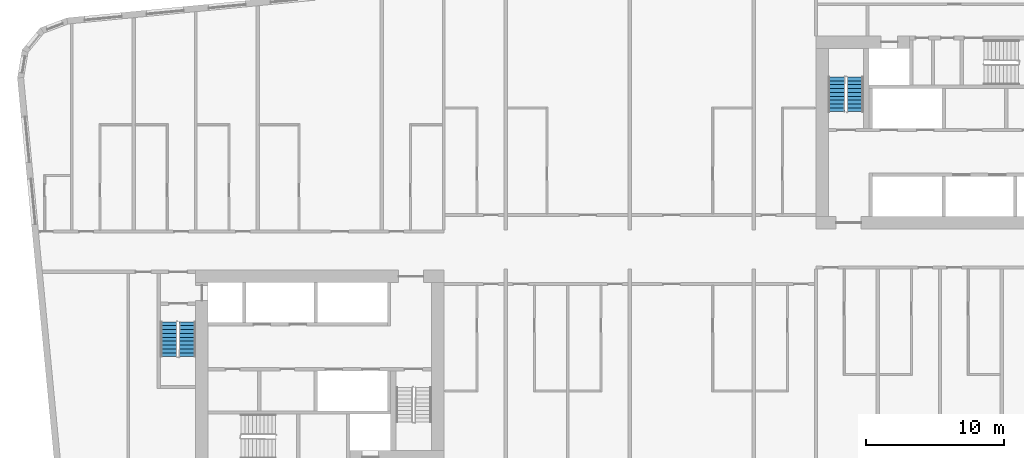
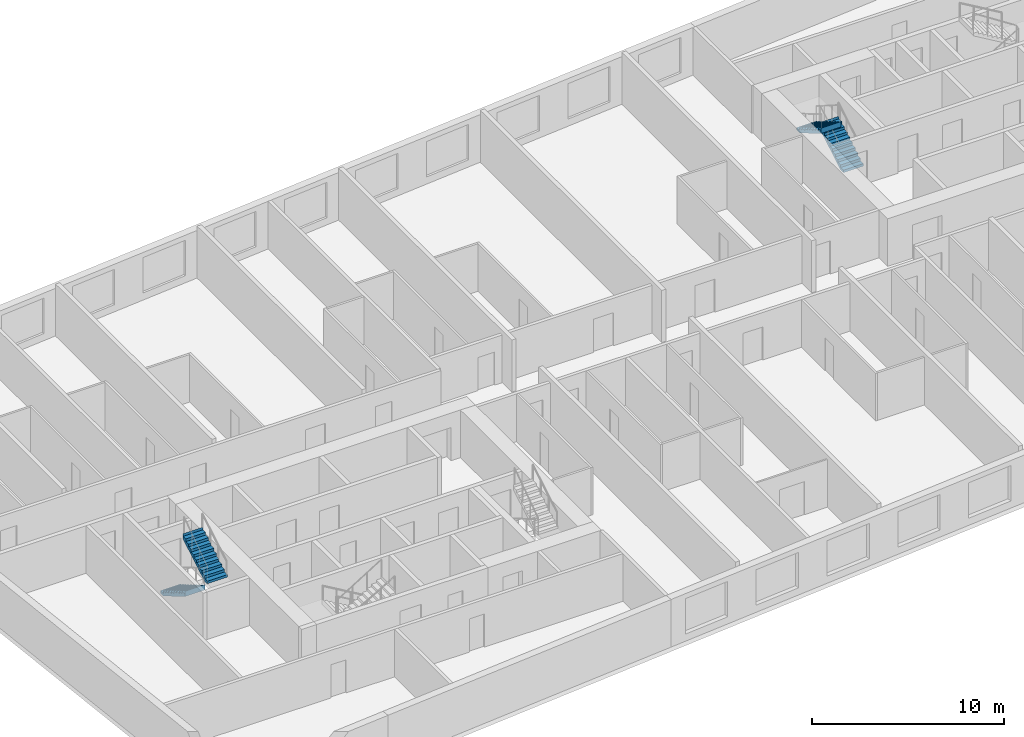
# One storey, part 10 of 12: 4 stair flights, 2 elements without a shape of their own.
"""IFC4 building model written with IfcOpenShell, lengths in metres."""

from ifc_helpers import new_model, si_unit, direction, frame, origin, place, context, subcontext, project, spatial, faceted_brep, material, type_object, element, aggregate, save


model = new_model("IFC4")

# Units and contexts
model_context = context("Model", 3, precision=1e-05, world=origin(), true_north=direction((0.0, 1.0)))
body_context = subcontext(model_context, "Body", "Model", "MODEL_VIEW")
ifc_project = project(units=[si_unit("LENGTHUNIT", "METRE"), si_unit("AREAUNIT", "SQUARE_METRE"), si_unit("VOLUMEUNIT", "CUBIC_METRE"), si_unit("PLANEANGLEUNIT", "RADIAN"), si_unit("MASSUNIT", "GRAM", prefix="KILO")], contexts=[model_context])

# Site, building, storey
site_placement = place(None, origin())
site = spatial("IfcSite", under=ifc_project, at=site_placement, CompositionType="ELEMENT")
building_placement = place(site_placement, origin())
building = spatial("IfcBuilding", under=site, at=building_placement, Name="Kajstack Hotel Tower", CompositionType="ELEMENT")
storey_placement = place(building_placement, frame((0.0, 0.0, 199.89990234375)))
storey = spatial("IfcBuildingStorey", under=building, at=storey_placement, Name="L48", CompositionType="ELEMENT", Elevation=199.89990234375)

# Stair, stair flights
ifc_material = material(Name="Concrete C40/50", Category="concrete")
stair_type = type_object("IfcStairType", Name="Exit stair 1200", PredefinedType="HALF_TURN_STAIR", material=ifc_material)
stair_1_placement = place(storey_placement, origin())
stair_1 = element("IfcStair", 1, at=stair_1_placement, inside=storey, type_object=stair_type, Name="L48 stair W1", PredefinedType="HALF_TURN_STAIR")
stair_flight_type = type_object("IfcStairFlightType", Name="Exit stair flight 1200", PredefinedType="STRAIGHT", material=ifc_material)
stair_flight_1_placement = place(storey_placement, frame((-33.449951171875, -5.25, 0.0), z_axis=(0.0, 0.0, 1.0), x_axis=(0.0, -1.0, 0.0)))
stair_flight_1 = element("IfcStairFlight", 2, at=stair_flight_1_placement, type_object=stair_flight_type, Name="W1 flight 1", NumberOfRisers=10, NumberOfTreads=9, PredefinedType="STRAIGHT", RiserHeight=0.165, TreadLength=0.28, context=body_context, shape_type="Brep", body=[
    faceted_brep([(0.295654296875, -0.60009765625, 0.0), (2.5205078125, -0.60009765625, 1.31103515625), (2.5205078125, -0.60009765625, 1.64990234375), (2.52001953125, -0.60009765625, 1.64990234375), (2.52001953125, -0.60009765625, 1.485107421875), (2.239990234375, -0.60009765625, 1.485107421875), (2.239990234375, -0.60009765625, 1.320068359375), (1.9599609375, -0.60009765625, 1.320068359375), (1.9599609375, -0.60009765625, 1.155029296875), (1.679931640625, -0.60009765625, 1.155029296875), (1.679931640625, -0.60009765625, 0.989990234375), (1.39990234375, -0.60009765625, 0.989990234375), (1.39990234375, -0.60009765625, 0.824951171875), (1.1201171875, -0.60009765625, 0.824951171875), (1.1201171875, -0.60009765625, 0.659912109375), (0.840087890625, -0.60009765625, 0.659912109375), (0.840087890625, -0.60009765625, 0.4951171875), (0.56005859375, -0.60009765625, 0.4951171875), (0.56005859375, -0.60009765625, 0.330078125), (0.280029296875, -0.60009765625, 0.330078125), (0.280029296875, -0.60009765625, 0.1650390625), (-0.00048828125, -0.60009765625, 0.1650390625), (-0.00048828125, -0.60009765625, 0.0), (-0.00048828125, 0.60009765625, 0.0), (-0.00048828125, 0.60009765625, 0.1650390625), (0.280029296875, 0.60009765625, 0.1650390625), (0.280029296875, 0.60009765625, 0.330078125), (0.56005859375, 0.60009765625, 0.330078125), (0.56005859375, 0.60009765625, 0.4951171875), (0.840087890625, 0.60009765625, 0.4951171875), (0.840087890625, 0.60009765625, 0.659912109375), (1.1201171875, 0.60009765625, 0.659912109375), (1.1201171875, 0.60009765625, 0.824951171875), (1.39990234375, 0.60009765625, 0.824951171875), (1.39990234375, 0.60009765625, 0.989990234375), (1.679931640625, 0.60009765625, 0.989990234375), (1.679931640625, 0.60009765625, 1.155029296875), (1.9599609375, 0.60009765625, 1.155029296875), (1.9599609375, 0.60009765625, 1.320068359375), (2.239990234375, 0.60009765625, 1.320068359375), (2.239990234375, 0.60009765625, 1.485107421875), (2.52001953125, 0.60009765625, 1.485107421875), (2.52001953125, 0.60009765625, 1.64990234375), (2.5205078125, 0.60009765625, 1.64990234375), (2.5205078125, 0.60009765625, 1.31103515625), (0.295654296875, 0.60009765625, 0.0), (-0.00048828125, -0.300048828125, 0.1650390625), (-0.00048828125, 0.0, 0.1650390625), (-0.00048828125, 0.300048828125, 0.1650390625), (-0.00048828125, 0.300048828125, 0.0), (-0.00048828125, 0.0, 0.0), (-0.00048828125, -0.300048828125, 0.0), (0.280029296875, -0.300048828125, 0.1650390625), (0.280029296875, 0.0, 0.1650390625), (0.280029296875, 0.300048828125, 0.1650390625), (0.280029296875, -0.300048828125, 0.330078125), (0.280029296875, 0.0, 0.330078125), (0.280029296875, 0.300048828125, 0.330078125), (0.56005859375, -0.300048828125, 0.330078125), (0.56005859375, 0.0, 0.330078125), (0.56005859375, 0.300048828125, 0.330078125), (0.56005859375, -0.300048828125, 0.4951171875), (0.56005859375, 0.0, 0.4951171875), (0.56005859375, 0.300048828125, 0.4951171875), (0.840087890625, -0.300048828125, 0.4951171875), (0.840087890625, 0.0, 0.4951171875), (0.840087890625, 0.300048828125, 0.4951171875), (0.840087890625, -0.300048828125, 0.659912109375), (0.840087890625, 0.0, 0.659912109375), (0.840087890625, 0.300048828125, 0.659912109375), (1.1201171875, -0.300048828125, 0.659912109375), (1.1201171875, 0.0, 0.659912109375), (1.1201171875, 0.300048828125, 0.659912109375), (1.1201171875, -0.300048828125, 0.824951171875), (1.1201171875, 0.0, 0.824951171875), (1.1201171875, 0.300048828125, 0.824951171875), (1.39990234375, -0.300048828125, 0.824951171875), (1.39990234375, 0.0, 0.824951171875), (1.39990234375, 0.300048828125, 0.824951171875), (1.39990234375, -0.300048828125, 0.989990234375), (1.39990234375, 0.0, 0.989990234375), (1.39990234375, 0.300048828125, 0.989990234375), (1.679931640625, -0.300048828125, 0.989990234375), (1.679931640625, 0.0, 0.989990234375), (1.679931640625, 0.300048828125, 0.989990234375), (1.679931640625, -0.300048828125, 1.155029296875), (1.679931640625, 0.0, 1.155029296875), (1.679931640625, 0.300048828125, 1.155029296875), (1.9599609375, -0.300048828125, 1.155029296875), (1.9599609375, 0.0, 1.155029296875), (1.9599609375, 0.300048828125, 1.155029296875), (1.9599609375, -0.300048828125, 1.320068359375), (1.9599609375, 0.0, 1.320068359375), (1.9599609375, 0.300048828125, 1.320068359375), (2.239990234375, -0.300048828125, 1.320068359375), (2.239990234375, 0.0, 1.320068359375), (2.239990234375, 0.300048828125, 1.320068359375), (2.239990234375, -0.300048828125, 1.485107421875), (2.239990234375, 0.0, 1.485107421875), (2.239990234375, 0.300048828125, 1.485107421875), (2.52001953125, -0.300048828125, 1.485107421875), (2.52001953125, 0.0, 1.485107421875), (2.52001953125, 0.300048828125, 1.485107421875), (2.52001953125, -0.300048828125, 1.64990234375), (2.52001953125, 0.0, 1.64990234375), (2.52001953125, 0.300048828125, 1.64990234375), (2.5205078125, -0.300048828125, 1.64990234375), (2.5205078125, 0.0, 1.64990234375), (2.5205078125, 0.300048828125, 1.64990234375), (2.5205078125, -0.300048828125, 1.31103515625), (2.5205078125, 0.0, 1.31103515625), (2.5205078125, 0.300048828125, 1.31103515625), (0.295654296875, -0.300048828125, 0.0), (0.295654296875, 0.0, 0.0), (0.295654296875, 0.300048828125, 0.0)], [[[0, 1, 2, 3, 4, 5, 6, 7, 8, 9, 10, 11, 12, 13, 14, 15, 16, 17, 18, 19, 20, 21, 22]], [[23, 24, 25, 26, 27, 28, 29, 30, 31, 32, 33, 34, 35, 36, 37, 38, 39, 40, 41, 42, 43, 44, 45]], [[21, 46, 47, 48, 24, 23, 49, 50, 51, 22]], [[20, 52, 53, 54, 25, 24, 48, 47, 46, 21]], [[19, 55, 56, 57, 26, 25, 54, 53, 52, 20]], [[18, 58, 59, 60, 27, 26, 57, 56, 55, 19]], [[17, 61, 62, 63, 28, 27, 60, 59, 58, 18]], [[16, 64, 65, 66, 29, 28, 63, 62, 61, 17]], [[15, 67, 68, 69, 30, 29, 66, 65, 64, 16]], [[14, 70, 71, 72, 31, 30, 69, 68, 67, 15]], [[13, 73, 74, 75, 32, 31, 72, 71, 70, 14]], [[12, 76, 77, 78, 33, 32, 75, 74, 73, 13]], [[11, 79, 80, 81, 34, 33, 78, 77, 76, 12]], [[10, 82, 83, 84, 35, 34, 81, 80, 79, 11]], [[9, 85, 86, 87, 36, 35, 84, 83, 82, 10]], [[8, 88, 89, 90, 37, 36, 87, 86, 85, 9]], [[7, 91, 92, 93, 38, 37, 90, 89, 88, 8]], [[6, 94, 95, 96, 39, 38, 93, 92, 91, 7]], [[5, 97, 98, 99, 40, 39, 96, 95, 94, 6]], [[4, 100, 101, 102, 41, 40, 99, 98, 97, 5]], [[3, 103, 104, 105, 42, 41, 102, 101, 100, 4]], [[2, 106, 107, 108, 43, 42, 105, 104, 103, 3]], [[1, 109, 110, 111, 44, 43, 108, 107, 106, 2]], [[0, 112, 113, 114, 45, 44, 111, 110, 109, 1]], [[22, 51, 50, 49, 23, 45, 114, 113, 112, 0]]]),
])
stair_flight_2_placement = place(storey_placement, frame((-32.10009765625, -7.77001953125, 1.650146484375), z_axis=(0.0, 0.0, 1.0), x_axis=(0.0, 1.0, 0.0)))
stair_flight_2 = element("IfcStairFlight", 3, at=stair_flight_2_placement, type_object=stair_flight_type, Name="W1 flight 2", NumberOfRisers=10, NumberOfTreads=9, PredefinedType="STRAIGHT", RiserHeight=0.165, TreadLength=0.28, context=body_context, shape_type="Brep", body=[
    faceted_brep([(0.295654296875, -0.60009765625, 0.0), (2.5205078125, -0.60009765625, 1.31103515625), (2.5205078125, -0.60009765625, 1.64990234375), (2.52001953125, -0.60009765625, 1.64990234375), (2.52001953125, -0.60009765625, 1.485107421875), (2.239990234375, -0.60009765625, 1.485107421875), (2.239990234375, -0.60009765625, 1.320068359375), (1.9599609375, -0.60009765625, 1.320068359375), (1.9599609375, -0.60009765625, 1.155029296875), (1.679931640625, -0.60009765625, 1.155029296875), (1.679931640625, -0.60009765625, 0.989990234375), (1.39990234375, -0.60009765625, 0.989990234375), (1.39990234375, -0.60009765625, 0.824951171875), (1.1201171875, -0.60009765625, 0.824951171875), (1.1201171875, -0.60009765625, 0.659912109375), (0.840087890625, -0.60009765625, 0.659912109375), (0.840087890625, -0.60009765625, 0.4951171875), (0.56005859375, -0.60009765625, 0.4951171875), (0.56005859375, -0.60009765625, 0.330078125), (0.280029296875, -0.60009765625, 0.330078125), (0.280029296875, -0.60009765625, 0.1650390625), (-0.00048828125, -0.60009765625, 0.1650390625), (-0.00048828125, -0.60009765625, 0.0), (-0.00048828125, 0.60009765625, 0.0), (-0.00048828125, 0.60009765625, 0.1650390625), (0.280029296875, 0.60009765625, 0.1650390625), (0.280029296875, 0.60009765625, 0.330078125), (0.56005859375, 0.60009765625, 0.330078125), (0.56005859375, 0.60009765625, 0.4951171875), (0.840087890625, 0.60009765625, 0.4951171875), (0.840087890625, 0.60009765625, 0.659912109375), (1.1201171875, 0.60009765625, 0.659912109375), (1.1201171875, 0.60009765625, 0.824951171875), (1.39990234375, 0.60009765625, 0.824951171875), (1.39990234375, 0.60009765625, 0.989990234375), (1.679931640625, 0.60009765625, 0.989990234375), (1.679931640625, 0.60009765625, 1.155029296875), (1.9599609375, 0.60009765625, 1.155029296875), (1.9599609375, 0.60009765625, 1.320068359375), (2.239990234375, 0.60009765625, 1.320068359375), (2.239990234375, 0.60009765625, 1.485107421875), (2.52001953125, 0.60009765625, 1.485107421875), (2.52001953125, 0.60009765625, 1.64990234375), (2.5205078125, 0.60009765625, 1.64990234375), (2.5205078125, 0.60009765625, 1.31103515625), (0.295654296875, 0.60009765625, 0.0), (-0.00048828125, -0.300048828125, 0.1650390625), (-0.00048828125, 0.0, 0.1650390625), (-0.00048828125, 0.300048828125, 0.1650390625), (-0.00048828125, 0.300048828125, 0.0), (-0.00048828125, 0.0, 0.0), (-0.00048828125, -0.300048828125, 0.0), (0.280029296875, -0.300048828125, 0.1650390625), (0.280029296875, 0.0, 0.1650390625), (0.280029296875, 0.300048828125, 0.1650390625), (0.280029296875, -0.300048828125, 0.330078125), (0.280029296875, 0.0, 0.330078125), (0.280029296875, 0.300048828125, 0.330078125), (0.56005859375, -0.300048828125, 0.330078125), (0.56005859375, 0.0, 0.330078125), (0.56005859375, 0.300048828125, 0.330078125), (0.56005859375, -0.300048828125, 0.4951171875), (0.56005859375, 0.0, 0.4951171875), (0.56005859375, 0.300048828125, 0.4951171875), (0.840087890625, -0.300048828125, 0.4951171875), (0.840087890625, 0.0, 0.4951171875), (0.840087890625, 0.300048828125, 0.4951171875), (0.840087890625, -0.300048828125, 0.659912109375), (0.840087890625, 0.0, 0.659912109375), (0.840087890625, 0.300048828125, 0.659912109375), (1.1201171875, -0.300048828125, 0.659912109375), (1.1201171875, 0.0, 0.659912109375), (1.1201171875, 0.300048828125, 0.659912109375), (1.1201171875, -0.300048828125, 0.824951171875), (1.1201171875, 0.0, 0.824951171875), (1.1201171875, 0.300048828125, 0.824951171875), (1.39990234375, -0.300048828125, 0.824951171875), (1.39990234375, 0.0, 0.824951171875), (1.39990234375, 0.300048828125, 0.824951171875), (1.39990234375, -0.300048828125, 0.989990234375), (1.39990234375, 0.0, 0.989990234375), (1.39990234375, 0.300048828125, 0.989990234375), (1.679931640625, -0.300048828125, 0.989990234375), (1.679931640625, 0.0, 0.989990234375), (1.679931640625, 0.300048828125, 0.989990234375), (1.679931640625, -0.300048828125, 1.155029296875), (1.679931640625, 0.0, 1.155029296875), (1.679931640625, 0.300048828125, 1.155029296875), (1.9599609375, -0.300048828125, 1.155029296875), (1.9599609375, 0.0, 1.155029296875), (1.9599609375, 0.300048828125, 1.155029296875), (1.9599609375, -0.300048828125, 1.320068359375), (1.9599609375, 0.0, 1.320068359375), (1.9599609375, 0.300048828125, 1.320068359375), (2.239990234375, -0.300048828125, 1.320068359375), (2.239990234375, 0.0, 1.320068359375), (2.239990234375, 0.300048828125, 1.320068359375), (2.239990234375, -0.300048828125, 1.485107421875), (2.239990234375, 0.0, 1.485107421875), (2.239990234375, 0.300048828125, 1.485107421875), (2.52001953125, -0.300048828125, 1.485107421875), (2.52001953125, 0.0, 1.485107421875), (2.52001953125, 0.300048828125, 1.485107421875), (2.52001953125, -0.300048828125, 1.64990234375), (2.52001953125, 0.0, 1.64990234375), (2.52001953125, 0.300048828125, 1.64990234375), (2.5205078125, -0.300048828125, 1.64990234375), (2.5205078125, 0.0, 1.64990234375), (2.5205078125, 0.300048828125, 1.64990234375), (2.5205078125, -0.300048828125, 1.31103515625), (2.5205078125, 0.0, 1.31103515625), (2.5205078125, 0.300048828125, 1.31103515625), (0.295654296875, -0.300048828125, 0.0), (0.295654296875, 0.0, 0.0), (0.295654296875, 0.300048828125, 0.0)], [[[0, 1, 2, 3, 4, 5, 6, 7, 8, 9, 10, 11, 12, 13, 14, 15, 16, 17, 18, 19, 20, 21, 22]], [[23, 24, 25, 26, 27, 28, 29, 30, 31, 32, 33, 34, 35, 36, 37, 38, 39, 40, 41, 42, 43, 44, 45]], [[21, 46, 47, 48, 24, 23, 49, 50, 51, 22]], [[20, 52, 53, 54, 25, 24, 48, 47, 46, 21]], [[19, 55, 56, 57, 26, 25, 54, 53, 52, 20]], [[18, 58, 59, 60, 27, 26, 57, 56, 55, 19]], [[17, 61, 62, 63, 28, 27, 60, 59, 58, 18]], [[16, 64, 65, 66, 29, 28, 63, 62, 61, 17]], [[15, 67, 68, 69, 30, 29, 66, 65, 64, 16]], [[14, 70, 71, 72, 31, 30, 69, 68, 67, 15]], [[13, 73, 74, 75, 32, 31, 72, 71, 70, 14]], [[12, 76, 77, 78, 33, 32, 75, 74, 73, 13]], [[11, 79, 80, 81, 34, 33, 78, 77, 76, 12]], [[10, 82, 83, 84, 35, 34, 81, 80, 79, 11]], [[9, 85, 86, 87, 36, 35, 84, 83, 82, 10]], [[8, 88, 89, 90, 37, 36, 87, 86, 85, 9]], [[7, 91, 92, 93, 38, 37, 90, 89, 88, 8]], [[6, 94, 95, 96, 39, 38, 93, 92, 91, 7]], [[5, 97, 98, 99, 40, 39, 96, 95, 94, 6]], [[4, 100, 101, 102, 41, 40, 99, 98, 97, 5]], [[3, 103, 104, 105, 42, 41, 102, 101, 100, 4]], [[2, 106, 107, 108, 43, 42, 105, 104, 103, 3]], [[1, 109, 110, 111, 44, 43, 108, 107, 106, 2]], [[0, 112, 113, 114, 45, 44, 111, 110, 109, 1]], [[22, 51, 50, 49, 23, 45, 114, 113, 112, 0]]]),
])
aggregate(stair_1, [stair_flight_1, stair_flight_2])

stair_2_placement = place(storey_placement, origin())
stair_2 = element("IfcStair", 4, at=stair_2_placement, inside=storey, type_object=stair_type, Name="L48 stair E2", PredefinedType="HALF_TURN_STAIR")
stair_flight_3_placement = place(storey_placement, frame((16.35009765625, 10.0, 0.0), z_axis=(0.0, 0.0, 1.0), x_axis=(0.0, 1.0, 0.0)))
stair_flight_3 = element("IfcStairFlight", 5, at=stair_flight_3_placement, type_object=stair_flight_type, Name="E2 flight 1", NumberOfRisers=10, NumberOfTreads=9, PredefinedType="STRAIGHT", RiserHeight=0.165, TreadLength=0.28, context=body_context, shape_type="Brep", body=[
    faceted_brep([(0.295654296875, -0.60009765625, 0.0), (2.5205078125, -0.60009765625, 1.31103515625), (2.5205078125, -0.60009765625, 1.64990234375), (2.52001953125, -0.60009765625, 1.64990234375), (2.52001953125, -0.60009765625, 1.485107421875), (2.239990234375, -0.60009765625, 1.485107421875), (2.239990234375, -0.60009765625, 1.320068359375), (1.9599609375, -0.60009765625, 1.320068359375), (1.9599609375, -0.60009765625, 1.155029296875), (1.679931640625, -0.60009765625, 1.155029296875), (1.679931640625, -0.60009765625, 0.989990234375), (1.39990234375, -0.60009765625, 0.989990234375), (1.39990234375, -0.60009765625, 0.824951171875), (1.1201171875, -0.60009765625, 0.824951171875), (1.1201171875, -0.60009765625, 0.659912109375), (0.840087890625, -0.60009765625, 0.659912109375), (0.840087890625, -0.60009765625, 0.4951171875), (0.56005859375, -0.60009765625, 0.4951171875), (0.56005859375, -0.60009765625, 0.330078125), (0.280029296875, -0.60009765625, 0.330078125), (0.280029296875, -0.60009765625, 0.1650390625), (-0.00048828125, -0.60009765625, 0.1650390625), (-0.00048828125, -0.60009765625, 0.0), (-0.00048828125, 0.60009765625, 0.0), (-0.00048828125, 0.60009765625, 0.1650390625), (0.280029296875, 0.60009765625, 0.1650390625), (0.280029296875, 0.60009765625, 0.330078125), (0.56005859375, 0.60009765625, 0.330078125), (0.56005859375, 0.60009765625, 0.4951171875), (0.840087890625, 0.60009765625, 0.4951171875), (0.840087890625, 0.60009765625, 0.659912109375), (1.1201171875, 0.60009765625, 0.659912109375), (1.1201171875, 0.60009765625, 0.824951171875), (1.39990234375, 0.60009765625, 0.824951171875), (1.39990234375, 0.60009765625, 0.989990234375), (1.679931640625, 0.60009765625, 0.989990234375), (1.679931640625, 0.60009765625, 1.155029296875), (1.9599609375, 0.60009765625, 1.155029296875), (1.9599609375, 0.60009765625, 1.320068359375), (2.239990234375, 0.60009765625, 1.320068359375), (2.239990234375, 0.60009765625, 1.485107421875), (2.52001953125, 0.60009765625, 1.485107421875), (2.52001953125, 0.60009765625, 1.64990234375), (2.5205078125, 0.60009765625, 1.64990234375), (2.5205078125, 0.60009765625, 1.31103515625), (0.295654296875, 0.60009765625, 0.0), (-0.00048828125, -0.300048828125, 0.1650390625), (-0.00048828125, 0.0, 0.1650390625), (-0.00048828125, 0.300048828125, 0.1650390625), (-0.00048828125, 0.300048828125, 0.0), (-0.00048828125, 0.0, 0.0), (-0.00048828125, -0.300048828125, 0.0), (0.280029296875, -0.300048828125, 0.1650390625), (0.280029296875, 0.0, 0.1650390625), (0.280029296875, 0.300048828125, 0.1650390625), (0.280029296875, -0.300048828125, 0.330078125), (0.280029296875, 0.0, 0.330078125), (0.280029296875, 0.300048828125, 0.330078125), (0.56005859375, -0.300048828125, 0.330078125), (0.56005859375, 0.0, 0.330078125), (0.56005859375, 0.300048828125, 0.330078125), (0.56005859375, -0.300048828125, 0.4951171875), (0.56005859375, 0.0, 0.4951171875), (0.56005859375, 0.300048828125, 0.4951171875), (0.840087890625, -0.300048828125, 0.4951171875), (0.840087890625, 0.0, 0.4951171875), (0.840087890625, 0.300048828125, 0.4951171875), (0.840087890625, -0.300048828125, 0.659912109375), (0.840087890625, 0.0, 0.659912109375), (0.840087890625, 0.300048828125, 0.659912109375), (1.1201171875, -0.300048828125, 0.659912109375), (1.1201171875, 0.0, 0.659912109375), (1.1201171875, 0.300048828125, 0.659912109375), (1.1201171875, -0.300048828125, 0.824951171875), (1.1201171875, 0.0, 0.824951171875), (1.1201171875, 0.300048828125, 0.824951171875), (1.39990234375, -0.300048828125, 0.824951171875), (1.39990234375, 0.0, 0.824951171875), (1.39990234375, 0.300048828125, 0.824951171875), (1.39990234375, -0.300048828125, 0.989990234375), (1.39990234375, 0.0, 0.989990234375), (1.39990234375, 0.300048828125, 0.989990234375), (1.679931640625, -0.300048828125, 0.989990234375), (1.679931640625, 0.0, 0.989990234375), (1.679931640625, 0.300048828125, 0.989990234375), (1.679931640625, -0.300048828125, 1.155029296875), (1.679931640625, 0.0, 1.155029296875), (1.679931640625, 0.300048828125, 1.155029296875), (1.9599609375, -0.300048828125, 1.155029296875), (1.9599609375, 0.0, 1.155029296875), (1.9599609375, 0.300048828125, 1.155029296875), (1.9599609375, -0.300048828125, 1.320068359375), (1.9599609375, 0.0, 1.320068359375), (1.9599609375, 0.300048828125, 1.320068359375), (2.239990234375, -0.300048828125, 1.320068359375), (2.239990234375, 0.0, 1.320068359375), (2.239990234375, 0.300048828125, 1.320068359375), (2.239990234375, -0.300048828125, 1.485107421875), (2.239990234375, 0.0, 1.485107421875), (2.239990234375, 0.300048828125, 1.485107421875), (2.52001953125, -0.300048828125, 1.485107421875), (2.52001953125, 0.0, 1.485107421875), (2.52001953125, 0.300048828125, 1.485107421875), (2.52001953125, -0.300048828125, 1.64990234375), (2.52001953125, 0.0, 1.64990234375), (2.52001953125, 0.300048828125, 1.64990234375), (2.5205078125, -0.300048828125, 1.64990234375), (2.5205078125, 0.0, 1.64990234375), (2.5205078125, 0.300048828125, 1.64990234375), (2.5205078125, -0.300048828125, 1.31103515625), (2.5205078125, 0.0, 1.31103515625), (2.5205078125, 0.300048828125, 1.31103515625), (0.295654296875, -0.300048828125, 0.0), (0.295654296875, 0.0, 0.0), (0.295654296875, 0.300048828125, 0.0)], [[[0, 1, 2, 3, 4, 5, 6, 7, 8, 9, 10, 11, 12, 13, 14, 15, 16, 17, 18, 19, 20, 21, 22]], [[23, 24, 25, 26, 27, 28, 29, 30, 31, 32, 33, 34, 35, 36, 37, 38, 39, 40, 41, 42, 43, 44, 45]], [[21, 46, 47, 48, 24, 23, 49, 50, 51, 22]], [[20, 52, 53, 54, 25, 24, 48, 47, 46, 21]], [[19, 55, 56, 57, 26, 25, 54, 53, 52, 20]], [[18, 58, 59, 60, 27, 26, 57, 56, 55, 19]], [[17, 61, 62, 63, 28, 27, 60, 59, 58, 18]], [[16, 64, 65, 66, 29, 28, 63, 62, 61, 17]], [[15, 67, 68, 69, 30, 29, 66, 65, 64, 16]], [[14, 70, 71, 72, 31, 30, 69, 68, 67, 15]], [[13, 73, 74, 75, 32, 31, 72, 71, 70, 14]], [[12, 76, 77, 78, 33, 32, 75, 74, 73, 13]], [[11, 79, 80, 81, 34, 33, 78, 77, 76, 12]], [[10, 82, 83, 84, 35, 34, 81, 80, 79, 11]], [[9, 85, 86, 87, 36, 35, 84, 83, 82, 10]], [[8, 88, 89, 90, 37, 36, 87, 86, 85, 9]], [[7, 91, 92, 93, 38, 37, 90, 89, 88, 8]], [[6, 94, 95, 96, 39, 38, 93, 92, 91, 7]], [[5, 97, 98, 99, 40, 39, 96, 95, 94, 6]], [[4, 100, 101, 102, 41, 40, 99, 98, 97, 5]], [[3, 103, 104, 105, 42, 41, 102, 101, 100, 4]], [[2, 106, 107, 108, 43, 42, 105, 104, 103, 3]], [[1, 109, 110, 111, 44, 43, 108, 107, 106, 2]], [[0, 112, 113, 114, 45, 44, 111, 110, 109, 1]], [[22, 51, 50, 49, 23, 45, 114, 113, 112, 0]]]),
])
stair_flight_4_placement = place(storey_placement, frame((15.0, 12.52001953125, 1.650146484375), z_axis=(0.0, 0.0, 1.0), x_axis=(0.0, -1.0, 0.0)))
stair_flight_4 = element("IfcStairFlight", 6, at=stair_flight_4_placement, type_object=stair_flight_type, Name="E2 flight 2", NumberOfRisers=10, NumberOfTreads=9, PredefinedType="STRAIGHT", RiserHeight=0.165, TreadLength=0.28, context=body_context, shape_type="Brep", body=[
    faceted_brep([(0.295654296875, -0.60009765625, 0.0), (2.5205078125, -0.60009765625, 1.31103515625), (2.5205078125, -0.60009765625, 1.64990234375), (2.52001953125, -0.60009765625, 1.64990234375), (2.52001953125, -0.60009765625, 1.485107421875), (2.239990234375, -0.60009765625, 1.485107421875), (2.239990234375, -0.60009765625, 1.320068359375), (1.9599609375, -0.60009765625, 1.320068359375), (1.9599609375, -0.60009765625, 1.155029296875), (1.679931640625, -0.60009765625, 1.155029296875), (1.679931640625, -0.60009765625, 0.989990234375), (1.39990234375, -0.60009765625, 0.989990234375), (1.39990234375, -0.60009765625, 0.824951171875), (1.1201171875, -0.60009765625, 0.824951171875), (1.1201171875, -0.60009765625, 0.659912109375), (0.840087890625, -0.60009765625, 0.659912109375), (0.840087890625, -0.60009765625, 0.4951171875), (0.56005859375, -0.60009765625, 0.4951171875), (0.56005859375, -0.60009765625, 0.330078125), (0.280029296875, -0.60009765625, 0.330078125), (0.280029296875, -0.60009765625, 0.1650390625), (-0.00048828125, -0.60009765625, 0.1650390625), (-0.00048828125, -0.60009765625, 0.0), (-0.00048828125, 0.60009765625, 0.0), (-0.00048828125, 0.60009765625, 0.1650390625), (0.280029296875, 0.60009765625, 0.1650390625), (0.280029296875, 0.60009765625, 0.330078125), (0.56005859375, 0.60009765625, 0.330078125), (0.56005859375, 0.60009765625, 0.4951171875), (0.840087890625, 0.60009765625, 0.4951171875), (0.840087890625, 0.60009765625, 0.659912109375), (1.1201171875, 0.60009765625, 0.659912109375), (1.1201171875, 0.60009765625, 0.824951171875), (1.39990234375, 0.60009765625, 0.824951171875), (1.39990234375, 0.60009765625, 0.989990234375), (1.679931640625, 0.60009765625, 0.989990234375), (1.679931640625, 0.60009765625, 1.155029296875), (1.9599609375, 0.60009765625, 1.155029296875), (1.9599609375, 0.60009765625, 1.320068359375), (2.239990234375, 0.60009765625, 1.320068359375), (2.239990234375, 0.60009765625, 1.485107421875), (2.52001953125, 0.60009765625, 1.485107421875), (2.52001953125, 0.60009765625, 1.64990234375), (2.5205078125, 0.60009765625, 1.64990234375), (2.5205078125, 0.60009765625, 1.31103515625), (0.295654296875, 0.60009765625, 0.0), (-0.00048828125, -0.300048828125, 0.1650390625), (-0.00048828125, 0.0, 0.1650390625), (-0.00048828125, 0.300048828125, 0.1650390625), (-0.00048828125, 0.300048828125, 0.0), (-0.00048828125, 0.0, 0.0), (-0.00048828125, -0.300048828125, 0.0), (0.280029296875, -0.300048828125, 0.1650390625), (0.280029296875, 0.0, 0.1650390625), (0.280029296875, 0.300048828125, 0.1650390625), (0.280029296875, -0.300048828125, 0.330078125), (0.280029296875, 0.0, 0.330078125), (0.280029296875, 0.300048828125, 0.330078125), (0.56005859375, -0.300048828125, 0.330078125), (0.56005859375, 0.0, 0.330078125), (0.56005859375, 0.300048828125, 0.330078125), (0.56005859375, -0.300048828125, 0.4951171875), (0.56005859375, 0.0, 0.4951171875), (0.56005859375, 0.300048828125, 0.4951171875), (0.840087890625, -0.300048828125, 0.4951171875), (0.840087890625, 0.0, 0.4951171875), (0.840087890625, 0.300048828125, 0.4951171875), (0.840087890625, -0.300048828125, 0.659912109375), (0.840087890625, 0.0, 0.659912109375), (0.840087890625, 0.300048828125, 0.659912109375), (1.1201171875, -0.300048828125, 0.659912109375), (1.1201171875, 0.0, 0.659912109375), (1.1201171875, 0.300048828125, 0.659912109375), (1.1201171875, -0.300048828125, 0.824951171875), (1.1201171875, 0.0, 0.824951171875), (1.1201171875, 0.300048828125, 0.824951171875), (1.39990234375, -0.300048828125, 0.824951171875), (1.39990234375, 0.0, 0.824951171875), (1.39990234375, 0.300048828125, 0.824951171875), (1.39990234375, -0.300048828125, 0.989990234375), (1.39990234375, 0.0, 0.989990234375), (1.39990234375, 0.300048828125, 0.989990234375), (1.679931640625, -0.300048828125, 0.989990234375), (1.679931640625, 0.0, 0.989990234375), (1.679931640625, 0.300048828125, 0.989990234375), (1.679931640625, -0.300048828125, 1.155029296875), (1.679931640625, 0.0, 1.155029296875), (1.679931640625, 0.300048828125, 1.155029296875), (1.9599609375, -0.300048828125, 1.155029296875), (1.9599609375, 0.0, 1.155029296875), (1.9599609375, 0.300048828125, 1.155029296875), (1.9599609375, -0.300048828125, 1.320068359375), (1.9599609375, 0.0, 1.320068359375), (1.9599609375, 0.300048828125, 1.320068359375), (2.239990234375, -0.300048828125, 1.320068359375), (2.239990234375, 0.0, 1.320068359375), (2.239990234375, 0.300048828125, 1.320068359375), (2.239990234375, -0.300048828125, 1.485107421875), (2.239990234375, 0.0, 1.485107421875), (2.239990234375, 0.300048828125, 1.485107421875), (2.52001953125, -0.300048828125, 1.485107421875), (2.52001953125, 0.0, 1.485107421875), (2.52001953125, 0.300048828125, 1.485107421875), (2.52001953125, -0.300048828125, 1.64990234375), (2.52001953125, 0.0, 1.64990234375), (2.52001953125, 0.300048828125, 1.64990234375), (2.5205078125, -0.300048828125, 1.64990234375), (2.5205078125, 0.0, 1.64990234375), (2.5205078125, 0.300048828125, 1.64990234375), (2.5205078125, -0.300048828125, 1.31103515625), (2.5205078125, 0.0, 1.31103515625), (2.5205078125, 0.300048828125, 1.31103515625), (0.295654296875, -0.300048828125, 0.0), (0.295654296875, 0.0, 0.0), (0.295654296875, 0.300048828125, 0.0)], [[[0, 1, 2, 3, 4, 5, 6, 7, 8, 9, 10, 11, 12, 13, 14, 15, 16, 17, 18, 19, 20, 21, 22]], [[23, 24, 25, 26, 27, 28, 29, 30, 31, 32, 33, 34, 35, 36, 37, 38, 39, 40, 41, 42, 43, 44, 45]], [[21, 46, 47, 48, 24, 23, 49, 50, 51, 22]], [[20, 52, 53, 54, 25, 24, 48, 47, 46, 21]], [[19, 55, 56, 57, 26, 25, 54, 53, 52, 20]], [[18, 58, 59, 60, 27, 26, 57, 56, 55, 19]], [[17, 61, 62, 63, 28, 27, 60, 59, 58, 18]], [[16, 64, 65, 66, 29, 28, 63, 62, 61, 17]], [[15, 67, 68, 69, 30, 29, 66, 65, 64, 16]], [[14, 70, 71, 72, 31, 30, 69, 68, 67, 15]], [[13, 73, 74, 75, 32, 31, 72, 71, 70, 14]], [[12, 76, 77, 78, 33, 32, 75, 74, 73, 13]], [[11, 79, 80, 81, 34, 33, 78, 77, 76, 12]], [[10, 82, 83, 84, 35, 34, 81, 80, 79, 11]], [[9, 85, 86, 87, 36, 35, 84, 83, 82, 10]], [[8, 88, 89, 90, 37, 36, 87, 86, 85, 9]], [[7, 91, 92, 93, 38, 37, 90, 89, 88, 8]], [[6, 94, 95, 96, 39, 38, 93, 92, 91, 7]], [[5, 97, 98, 99, 40, 39, 96, 95, 94, 6]], [[4, 100, 101, 102, 41, 40, 99, 98, 97, 5]], [[3, 103, 104, 105, 42, 41, 102, 101, 100, 4]], [[2, 106, 107, 108, 43, 42, 105, 104, 103, 3]], [[1, 109, 110, 111, 44, 43, 108, 107, 106, 2]], [[0, 112, 113, 114, 45, 44, 111, 110, 109, 1]], [[22, 51, 50, 49, 23, 45, 114, 113, 112, 0]]]),
])
aggregate(stair_2, [stair_flight_3, stair_flight_4])

save(model, "model.ifc")
